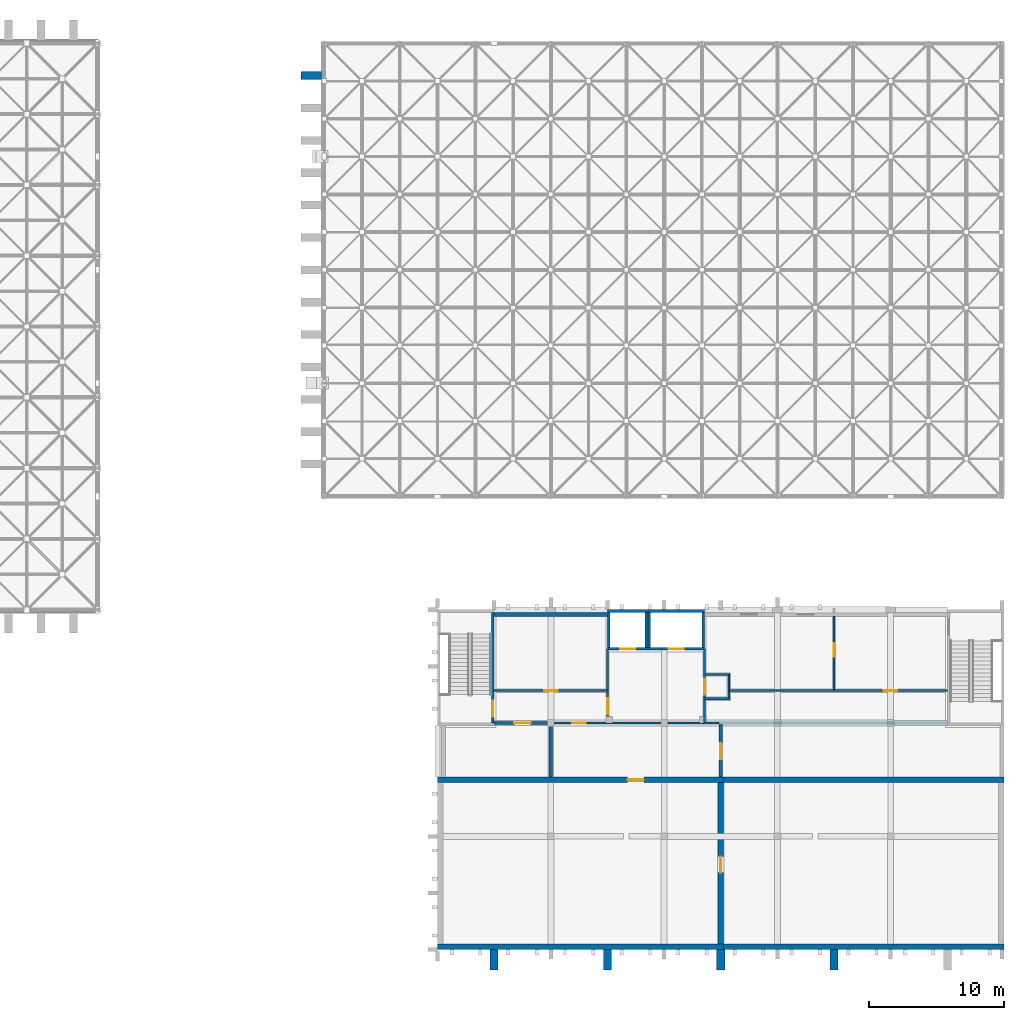
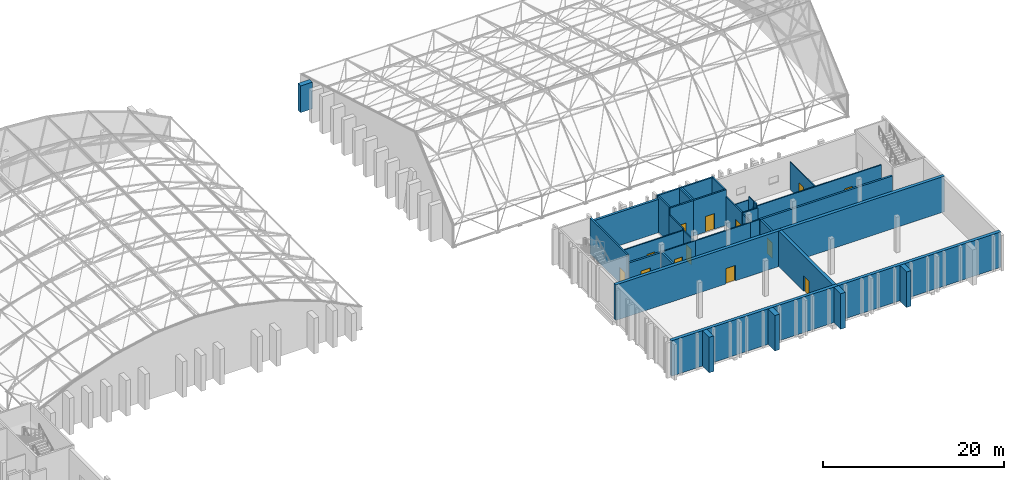
# One storey, part 71 of 100: 38 walls, 13 doors, 13 openings.
"""IFC4 building model written with IfcOpenShell, lengths in metres."""

from ifc_helpers import new_model, si_unit, direction, frame, frame_2d, origin, place, context, subcontext, project, spatial, rectangle, extrude, material, layer, layer_set, type_object, element, fill, save


model = new_model("IFC4")

# Units and contexts
model_context = context("Model", 3, precision=1e-05, world=origin(), true_north=direction((0.0, 1.0)))
body_context = subcontext(model_context, "Body", "Model", "MODEL_VIEW")
ifc_project = project(units=[si_unit("LENGTHUNIT", "METRE"), si_unit("AREAUNIT", "SQUARE_METRE"), si_unit("VOLUMEUNIT", "CUBIC_METRE"), si_unit("PLANEANGLEUNIT", "RADIAN"), si_unit("MASSUNIT", "GRAM", prefix="KILO")], contexts=[model_context])

# Site, building, storey
site_placement = place(None, origin())
site = spatial("IfcSite", under=ifc_project, at=site_placement, CompositionType="ELEMENT")
building_placement = place(site_placement, origin())
building = spatial("IfcBuilding", under=site, at=building_placement, Name="Kiln Court Media Centre", CompositionType="ELEMENT")
storey_placement = place(building_placement, frame((0.0, 0.0, 15.0)))
storey = spatial("IfcBuildingStorey", under=building, at=storey_placement, Name="L03", CompositionType="ELEMENT", Elevation=15.0)

# Wall
ifc_material_1 = material(Name="Concrete block masonry M7.5", Category="masonry")
ifc_layer_1 = layer(ifc_material_1, 0.14990234375)
ifc_layer_set_1 = layer_set([ifc_layer_1], Name="Block lobby wall 150 EI 120")
wall_type_1 = type_object("IfcWallType", Name="Block lobby wall 150 EI 120", PredefinedType="SOLIDWALL", material=ifc_layer_set_1)
wall_1_placement = place(storey_placement, frame((138.675048828125, 16.800048828125, 0.0), z_axis=(0.0, 0.0, 1.0), x_axis=(1.0, 0.0, 0.0)))
element("IfcWall", 1, at=wall_1_placement, inside=storey, type_object=wall_type_1, Name="L03 block lobby wall", PredefinedType="SOLIDWALL", context=body_context, shape_type="SweptSolid", body=[
    extrude(rectangle(XDim=7.050048828125, YDim=0.14990234375, at=frame_2d((3.52490234375, 0.0))), origin(), (0.0, 0.0, 1.0), 3.699951171875),
])

# Wall, opening, door
wall_2_placement = place(storey_placement, frame((138.60009765625, 16.875, 0.0), z_axis=(0.0, 0.0, 1.0), x_axis=(0.0, 1.0, 0.0)))
wall_2 = element("IfcWall", 2, at=wall_2_placement, inside=storey, type_object=wall_type_1, Name="L03 block lobby wall", PredefinedType="SOLIDWALL", context=body_context, shape_type="SweptSolid", body=[
    extrude(rectangle(XDim=2.25, YDim=0.14990234375, at=frame_2d((1.125, 0.0))), origin(), (0.0, 0.0, 1.0), 3.699951171875),
])
opening_1_placement = place(wall_2_placement, frame((0.574951171875, 0.0, 0.0)))
opening_1 = element("IfcOpeningElement", 3, at=opening_1_placement, cuts=wall_2, Name="Opening D3019", PredefinedType="OPENING", context=body_context, shape_type="SweptSolid", body=[
    extrude(rectangle(XDim=1.199951171875, YDim=2.10009765625, at=frame_2d((0.60009765625, 1.050048828125))), frame((0.0, 0.0849609375, 0.0), z_axis=(0.0, -1.0, 0.0), x_axis=(1.0, 0.0, 0.0)), (0.0, 0.0, 1.0), 0.169921875),
])
ifc_material_2 = material(Name="Steel S275", Category="steel")
door_type_1 = type_object("IfcDoorType", Name="Steel lobby door 1200 x 2100 FD120", OperationType="SINGLE_SWING_LEFT", PredefinedType="DOOR", material=ifc_material_2)
door_1_placement = place(opening_1_placement, origin())
door_1 = element("IfcDoor", 4, at=door_1_placement, inside=storey, type_object=door_type_1, Name="Studio Corridor / Fire-fighting Lift Lobby", OperationType="SINGLE_SWING_RIGHT", OverallHeight=2.10009765625, OverallWidth=1.199951171875, PredefinedType="DOOR", context=body_context, shape_type="SweptSolid", body=[
    extrude(rectangle(XDim=1.199951171875, YDim=2.10009765625, at=frame_2d((0.60009765625, 1.050048828125))), frame((0.0, 0.02490234375, 0.0), z_axis=(0.0, -1.0, 0.0), x_axis=(1.0, 0.0, 0.0)), (0.0, 0.0, 1.0), 0.050048828125),
])
fill(opening_1, door_1)

# Walls
wall_3_placement = place(storey_placement, frame((138.60009765625, 19.27490234375, 0.0), z_axis=(0.0, 0.0, 1.0), x_axis=(0.0, 1.0, 0.0)))
element("IfcWall", 5, at=wall_3_placement, inside=storey, type_object=wall_type_1, Name="L03 block lobby wall", PredefinedType="SOLIDWALL", context=body_context, shape_type="SweptSolid", body=[
    extrude(rectangle(XDim=3.0, YDim=0.14990234375, at=frame_2d((1.5, 0.0))), origin(), (0.0, 0.0, 1.0), 3.89990234375),
])
wall_4_placement = place(storey_placement, frame((145.800048828125, 16.875, 0.0), z_axis=(0.0, 0.0, 1.0), x_axis=(0.0, 1.0, 0.0)))
element("IfcWall", 6, at=wall_4_placement, inside=storey, type_object=wall_type_1, Name="L03 block lobby wall", PredefinedType="SOLIDWALL", context=body_context, shape_type="SweptSolid", body=[
    extrude(rectangle(XDim=1.64990234375, YDim=0.14990234375, at=frame_2d((0.824951171875, 0.0))), origin(), (0.0, 0.0, 1.0), 3.699951171875),
])

# Wall, opening, door
wall_5_placement = place(storey_placement, frame((145.800048828125, 18.675048828125, 0.0), z_axis=(0.0, 0.0, 1.0), x_axis=(0.0, 1.0, 0.0)))
wall_5 = element("IfcWall", 7, at=wall_5_placement, inside=storey, type_object=wall_type_1, Name="L03 block lobby wall", PredefinedType="SOLIDWALL", context=body_context, shape_type="SweptSolid", body=[
    extrude(rectangle(XDim=3.599853515625, YDim=0.14990234375, at=frame_2d((1.7998046875, 0.0))), origin(), (0.0, 0.0, 1.0), 3.89990234375),
])
opening_2_placement = place(wall_5_placement, frame((0.22509765625, 0.0, 0.0)))
opening_2 = element("IfcOpeningElement", 8, at=opening_2_placement, cuts=wall_5, Name="Opening D3040", PredefinedType="OPENING", context=body_context, shape_type="SweptSolid", body=[
    extrude(rectangle(XDim=1.199951171875, YDim=2.10009765625, at=frame_2d((0.60009765625, 1.050048828125))), frame((0.0, 0.0849609375, 0.0), z_axis=(0.0, -1.0, 0.0), x_axis=(1.0, 0.0, 0.0)), (0.0, 0.0, 1.0), 0.169921875),
])
door_2_placement = place(opening_2_placement, origin())
door_2 = element("IfcDoor", 9, at=door_2_placement, inside=storey, type_object=door_type_1, Name="Fire-fighting Lift Lobby / Wheelchair Refuge", OperationType="SINGLE_SWING_RIGHT", OverallHeight=2.10009765625, OverallWidth=1.199951171875, PredefinedType="DOOR", context=body_context, shape_type="SweptSolid", body=[
    extrude(rectangle(XDim=1.199951171875, YDim=2.10009765625, at=frame_2d((0.60009765625, 1.050048828125))), frame((0.0, 0.02490234375, 0.0), z_axis=(0.0, -1.0, 0.0), x_axis=(1.0, 0.0, 0.0)), (0.0, 0.0, 1.0), 0.050048828125),
])
fill(opening_2, door_2)

# Walls
ifc_material_3 = material(Name="Concrete C40/50", Category="concrete")
ifc_layer_2 = layer(ifc_material_3, 0.300048828125)
ifc_layer_set_2 = layer_set([ifc_layer_2], Name="Concrete C40/50 board-marked facade wall 300")
wall_type_2 = type_object("IfcWallType", Name="Concrete C40/50 board-marked facade wall 300", PredefinedType="SOLIDWALL", material=ifc_layer_set_2)
wall_6_placement = place(storey_placement, frame((130.199951171875, 24.85009765625, 0.0), z_axis=(0.0, 0.0, 1.0), x_axis=(1.0, 0.0, 0.0)))
element("IfcWall", 10, at=wall_6_placement, inside=storey, type_object=wall_type_2, Name="V5 N facade wall 4008", PredefinedType="SOLIDWALL", context=body_context, shape_type="SweptSolid", body=[
    extrude(rectangle(XDim=8.400146484375, YDim=0.300048828125, at=frame_2d((4.2001953125, 0.0))), origin(), (0.0, 0.0, 1.0), 4.5),
])
ifc_material_4 = material(Name="Concrete C40/50", Category="concrete")
ifc_layer_3 = layer(ifc_material_4, 0.60009765625)
ifc_layer_set_3 = layer_set([ifc_layer_3], Name="Concrete C40/50 cast rib 600x1500")
wall_type_3 = type_object("IfcWallType", Name="Concrete C40/50 cast rib 600x1500", PredefinedType="SOLIDWALL", material=ifc_layer_set_3)
wall_7_placement = place(storey_placement, frame((117.386474609375, 64.800048828125, 0.0), z_axis=(0.0, 0.0, 1.0), x_axis=(-1.0, 0.0, 0.0)))
element("IfcWall", 11, at=wall_7_placement, inside=storey, type_object=wall_type_3, Name="V2 W gable rib", PredefinedType="SOLIDWALL", context=body_context, shape_type="SweptSolid", body=[
    extrude(rectangle(XDim=1.5, YDim=0.60009765625, at=frame_2d((0.75, 0.0))), origin(), (0.0, 0.0, 1.0), 3.60498046875),
])
for number, where, z_axis, x_axis, name in (
    (12, (130.199951171875, 0.0, 0.0), (0.0, 0.0, 1.0), (0.0, -1.0, 0.0), "V5 S cast rib 1"),
    (13, (138.60009765625, 0.0, 0.0), (0.0, 0.0, 1.0), (0.0, -1.0, 0.0), "V5 S cast rib 2"),
    (14, (147.0, 0.0, 0.0), (0.0, 0.0, 1.0), (0.0, -1.0, 0.0), "V5 S cast rib 3"),
    (15, (155.39990234375, 0.0, 0.0), (0.0, 0.0, 1.0), (0.0, -1.0, 0.0), "V5 S cast rib 4"),
):
    element("IfcWall", number, at=place(storey_placement, frame(where, z_axis=z_axis, x_axis=x_axis)), inside=storey, type_object=wall_type_3, Name=name, PredefinedType="SOLIDWALL", context=body_context, shape_type="SweptSolid", body=[
        extrude(rectangle(XDim=1.5, YDim=0.60009765625, at=frame_2d((0.75, 0.0))), origin(), (0.0, 0.0, 1.0), 4.800048828125),
    ])

# Wall, opening, door
ifc_material_5 = material(Name="Concrete C40/50", Category="concrete")
ifc_layer_4 = layer(ifc_material_5, 0.199951171875)
ifc_layer_set_4 = layer_set([ifc_layer_4], Name="Concrete C40/50 shear wall 200")
wall_type_4 = type_object("IfcWallType", Name="Concrete C40/50 shear wall 200", PredefinedType="SHEAR", material=ifc_layer_set_4)
wall_8_placement = place(storey_placement, frame((130.10009765625, 25.0, 0.0), z_axis=(0.0, 0.0, 1.0), x_axis=(0.0, -1.0, 0.0)))
wall_8 = element("IfcWall", 16, at=wall_8_placement, inside=storey, type_object=wall_type_4, Name="L03-W-1035", PredefinedType="SHEAR", context=body_context, shape_type="SweptSolid", body=[
    extrude(rectangle(XDim=8.199951171875, YDim=0.199951171875, at=frame_2d((4.10009765625, 0.0))), origin(), (0.0, 0.0, 1.0), 4.800048828125),
])
opening_3_placement = place(wall_8_placement, frame((6.550048828125, 0.0, 0.0)))
opening_3 = element("IfcOpeningElement", 17, at=opening_3_placement, cuts=wall_8, Name="Opening D3004", PredefinedType="OPENING", context=body_context, shape_type="SweptSolid", body=[
    extrude(rectangle(XDim=1.199951171875, YDim=2.10009765625, at=frame_2d((0.60009765625, 1.050048828125))), frame((0.0, 0.10986328125, 0.0), z_axis=(0.0, -1.0, 0.0), x_axis=(1.0, 0.0, 0.0)), (0.0, 0.0, 1.0), 0.219970703125),
])
ifc_material_6 = material(Name="Steel S275", Category="steel")
door_type_2 = type_object("IfcDoorType", Name="Steel stair door 1200 x 2100 FD180", OperationType="SINGLE_SWING_LEFT", PredefinedType="DOOR", material=ifc_material_6)
door_3_placement = place(opening_3_placement, origin())
door_3 = element("IfcDoor", 18, at=door_3_placement, inside=storey, type_object=door_type_2, Name="Stair 16 / Studio Corridor", OperationType="SINGLE_SWING_LEFT", OverallHeight=2.10009765625, OverallWidth=1.199951171875, PredefinedType="DOOR", context=body_context, shape_type="SweptSolid", body=[
    extrude(rectangle(XDim=1.199951171875, YDim=2.10009765625, at=frame_2d((0.60009765625, 1.050048828125))), frame((0.0, 0.02490234375, 0.0), z_axis=(0.0, -1.0, 0.0), x_axis=(1.0, 0.0, 0.0)), (0.0, 0.0, 1.0), 0.050048828125),
])
fill(opening_3, door_3)

wall_9_placement = place(storey_placement, frame((141.60009765625, 22.300048828125, 0.0), z_axis=(0.0, 0.0, 1.0), x_axis=(-1.0, 0.0, 0.0)))
wall_9 = element("IfcWall", 19, at=wall_9_placement, inside=storey, type_object=wall_type_4, Name="L03-W-1062", PredefinedType="SHEAR", context=body_context, shape_type="SweptSolid", body=[
    extrude(rectangle(XDim=3.0, YDim=0.199951171875, at=frame_2d((1.5, 0.0))), origin(), (0.0, 0.0, 1.0), 4.800048828125),
])
opening_4_placement = place(wall_9_placement, frame((0.9501953125, 0.0, 0.0)))
opening_4 = element("IfcOpeningElement", 20, at=opening_4_placement, cuts=wall_9, Name="Opening LD309", PredefinedType="OPENING", context=body_context, shape_type="SweptSolid", body=[
    extrude(rectangle(XDim=1.10009765625, YDim=2.10009765625, at=frame_2d((0.550048828125, 1.050048828125))), frame((0.0, 0.10986328125, 0.0), z_axis=(0.0, -1.0, 0.0), x_axis=(1.0, 0.0, 0.0)), (0.0, 0.0, 1.0), 0.219970703125),
])
ifc_material_7 = material(Name="Stainless steel", Category="steel")
door_type_3 = type_object("IfcDoorType", Name="Firefighting lift landing door 1100 x 2100 FD120", OperationType="SLIDING_TO_LEFT", PredefinedType="DOOR", material=ifc_material_7)
door_4_placement = place(opening_4_placement, origin())
door_4 = element("IfcDoor", 21, at=door_4_placement, inside=storey, type_object=door_type_3, Name="LF-11 landing door L03", OperationType="SLIDING_TO_LEFT", OverallHeight=2.10009765625, OverallWidth=1.10009765625, PredefinedType="DOOR", context=body_context, shape_type="SweptSolid", body=[
    extrude(rectangle(XDim=1.10009765625, YDim=2.10009765625, at=frame_2d((0.550048828125, 1.050048828125))), frame((0.0, 0.02490234375, 0.0), z_axis=(0.0, -1.0, 0.0), x_axis=(1.0, 0.0, 0.0)), (0.0, 0.0, 1.0), 0.050048828125),
])
fill(opening_4, door_4)

# Walls
wall_10_placement = place(storey_placement, frame((138.60009765625, 25.10009765625, 0.0), z_axis=(0.0, 0.0, 1.0), x_axis=(1.0, 0.0, 0.0)))
element("IfcWall", 22, at=wall_10_placement, inside=storey, type_object=wall_type_4, Name="L03-W-1063", PredefinedType="SHEAR", context=body_context, shape_type="SweptSolid", body=[
    extrude(rectangle(XDim=3.0, YDim=0.199951171875, at=frame_2d((1.5, 0.0))), origin(), (0.0, 0.0, 1.0), 4.800048828125),
])
for number, where, z_axis, x_axis, name in (
    (23, (138.699951171875, 22.39990234375, 0.0), (0.0, 0.0, 1.0), (0.0, 1.0, 0.0), "L03-W-1064"),
    (24, (141.5, 25.0, 0.0), (0.0, 0.0, 1.0), (0.0, -1.0, 0.0), "L03-W-1065"),
):
    element("IfcWall", number, at=place(storey_placement, frame(where, z_axis=z_axis, x_axis=x_axis)), inside=storey, type_object=wall_type_4, Name=name, PredefinedType="SHEAR", context=body_context, shape_type="SweptSolid", body=[
        extrude(rectangle(XDim=2.60009765625, YDim=0.199951171875, at=frame_2d((1.300048828125, 0.0))), origin(), (0.0, 0.0, 1.0), 4.800048828125),
    ])

# Wall, opening, door
wall_11_placement = place(storey_placement, frame((145.800048828125, 22.300048828125, 0.0), z_axis=(0.0, 0.0, 1.0), x_axis=(-1.0, 0.0, 0.0)))
wall_11 = element("IfcWall", 25, at=wall_11_placement, inside=storey, type_object=wall_type_4, Name="L03-W-1066", PredefinedType="SHEAR", context=body_context, shape_type="SweptSolid", body=[
    extrude(rectangle(XDim=4.199951171875, YDim=0.199951171875, at=frame_2d((2.10009765625, 0.0))), origin(), (0.0, 0.0, 1.0), 4.800048828125),
])
opening_5_placement = place(wall_11_placement, frame((1.550048828125, 0.0, 0.0)))
opening_5 = element("IfcOpeningElement", 26, at=opening_5_placement, cuts=wall_11, Name="Opening LD310", PredefinedType="OPENING", context=body_context, shape_type="SweptSolid", body=[
    extrude(rectangle(XDim=1.10009765625, YDim=2.10009765625, at=frame_2d((0.550048828125, 1.050048828125))), frame((0.0, 0.10986328125, 0.0), z_axis=(0.0, -1.0, 0.0), x_axis=(1.0, 0.0, 0.0)), (0.0, 0.0, 1.0), 0.219970703125),
])
ifc_material_8 = material(Name="Stainless steel", Category="steel")
door_type_4 = type_object("IfcDoorType", Name="Lift landing door 1100 x 2100 FD120", OperationType="SLIDING_TO_LEFT", PredefinedType="DOOR", material=ifc_material_8)
door_5_placement = place(opening_5_placement, origin())
door_5 = element("IfcDoor", 27, at=door_5_placement, inside=storey, type_object=door_type_4, Name="LF-12 landing door L03", OperationType="SLIDING_TO_LEFT", OverallHeight=2.10009765625, OverallWidth=1.10009765625, PredefinedType="DOOR", context=body_context, shape_type="SweptSolid", body=[
    extrude(rectangle(XDim=1.10009765625, YDim=2.10009765625, at=frame_2d((0.550048828125, 1.050048828125))), frame((0.0, 0.02490234375, 0.0), z_axis=(0.0, -1.0, 0.0), x_axis=(1.0, 0.0, 0.0)), (0.0, 0.0, 1.0), 0.050048828125),
])
fill(opening_5, door_5)

# Walls
wall_12_placement = place(storey_placement, frame((141.60009765625, 25.10009765625, 0.0), z_axis=(0.0, 0.0, 1.0), x_axis=(1.0, 0.0, 0.0)))
element("IfcWall", 28, at=wall_12_placement, inside=storey, type_object=wall_type_4, Name="L03-W-1067", PredefinedType="SHEAR", context=body_context, shape_type="SweptSolid", body=[
    extrude(rectangle(XDim=4.199951171875, YDim=0.199951171875, at=frame_2d((2.10009765625, 0.0))), origin(), (0.0, 0.0, 1.0), 4.800048828125),
])
for number, where, z_axis, x_axis, name in (
    (29, (141.699951171875, 22.39990234375, 0.0), (0.0, 0.0, 1.0), (0.0, 1.0, 0.0), "L03-W-1068"),
    (30, (145.699951171875, 25.0, 0.0), (0.0, 0.0, 1.0), (0.0, -1.0, 0.0), "L03-W-1069"),
):
    element("IfcWall", number, at=place(storey_placement, frame(where, z_axis=z_axis, x_axis=x_axis)), inside=storey, type_object=wall_type_4, Name=name, PredefinedType="SHEAR", context=body_context, shape_type="SweptSolid", body=[
        extrude(rectangle(XDim=2.60009765625, YDim=0.199951171875, at=frame_2d((1.300048828125, 0.0))), origin(), (0.0, 0.0, 1.0), 4.800048828125),
    ])
ifc_material_9 = material(Name="Concrete C40/50", Category="concrete")
ifc_layer_5 = layer(ifc_material_9, 0.39990234375)
ifc_layer_set_5 = layer_set([ifc_layer_5], Name="Concrete C40/50 studio wall 400")
wall_type_5 = type_object("IfcWallType", Name="Concrete C40/50 studio wall 400", PredefinedType="SHEAR", material=ifc_layer_set_5)
wall_13_placement = place(storey_placement, frame((147.199951171875, 0.199951171875, 0.0), z_axis=(0.0, 0.0, 1.0), x_axis=(-1.0, 0.0, 0.0)))
element("IfcWall", 31, at=wall_13_placement, inside=storey, type_object=wall_type_5, Name="L03-W-1081", PredefinedType="SHEAR", context=body_context, shape_type="SweptSolid", body=[
    extrude(rectangle(XDim=21.199951171875, YDim=0.39990234375, at=frame_2d((10.60009765625, 0.0))), origin(), (0.0, 0.0, 1.0), 4.800048828125),
])

# Wall, opening, door
wall_14_placement = place(storey_placement, frame((126.0, 12.60009765625, 0.0), z_axis=(0.0, 0.0, 1.0), x_axis=(1.0, 0.0, 0.0)))
wall_14 = element("IfcWall", 32, at=wall_14_placement, inside=storey, type_object=wall_type_5, Name="L03-W-1082", PredefinedType="SHEAR", context=body_context, shape_type="SweptSolid", body=[
    extrude(rectangle(XDim=21.199951171875, YDim=0.39990234375, at=frame_2d((10.60009765625, 0.0))), origin(), (0.0, 0.0, 1.0), 4.800048828125),
])
opening_6_placement = place(wall_14_placement, frame((14.10009765625, 0.0, 0.0)))
opening_6 = element("IfcOpeningElement", 33, at=opening_6_placement, cuts=wall_14, Name="Opening D3038", PredefinedType="OPENING", context=body_context, shape_type="SweptSolid", body=[
    extrude(rectangle(XDim=1.199951171875, YDim=2.10009765625, at=frame_2d((0.60009765625, 1.050048828125))), frame((0.0, 0.2099609375, 0.0), z_axis=(0.0, -1.0, 0.0), x_axis=(1.0, 0.0, 0.0)), (0.0, 0.0, 1.0), 0.419921875),
])
ifc_material_10 = material(Name="Steel S275", Category="steel")
door_type_5 = type_object("IfcDoorType", Name="Acoustic studio door 1200 x 2100 FD180", OperationType="SINGLE_SWING_LEFT", PredefinedType="DOOR", material=ifc_material_10)
door_6_placement = place(opening_6_placement, origin())
door_6 = element("IfcDoor", 34, at=door_6_placement, inside=storey, type_object=door_type_5, Name="Recording Studio 3 / Sound Lobby", OperationType="SINGLE_SWING_LEFT", OverallHeight=2.10009765625, OverallWidth=1.199951171875, PredefinedType="DOOR", context=body_context, shape_type="SweptSolid", body=[
    extrude(rectangle(XDim=1.199951171875, YDim=2.10009765625, at=frame_2d((0.60009765625, 1.050048828125))), frame((0.0, 0.02490234375, 0.0), z_axis=(0.0, -1.0, 0.0), x_axis=(1.0, 0.0, 0.0)), (0.0, 0.0, 1.0), 0.050048828125),
])
fill(opening_6, door_6)

wall_15_placement = place(storey_placement, frame((147.0, 12.39990234375, 0.0), z_axis=(0.0, 0.0, 1.0), x_axis=(0.0, -1.0, 0.0)))
wall_15 = element("IfcWall", 35, at=wall_15_placement, inside=storey, type_object=wall_type_5, Name="L03-W-1084", PredefinedType="SHEAR", context=body_context, shape_type="SweptSolid", body=[
    extrude(rectangle(XDim=12.0, YDim=0.39990234375, at=frame_2d((6.0, 0.0))), origin(), (0.0, 0.0, 1.0), 4.800048828125),
])
opening_7_placement = place(wall_15_placement, frame((5.5, 0.0, 0.0)))
opening_7 = element("IfcOpeningElement", 36, at=opening_7_placement, cuts=wall_15, Name="Opening D3048", PredefinedType="OPENING", context=body_context, shape_type="SweptSolid", body=[
    extrude(rectangle(XDim=1.199951171875, YDim=2.10009765625, at=frame_2d((0.60009765625, 1.050048828125))), frame((0.0, 0.2099609375, 0.0), z_axis=(0.0, -1.0, 0.0), x_axis=(1.0, 0.0, 0.0)), (0.0, 0.0, 1.0), 0.419921875),
])
door_7_placement = place(opening_7_placement, origin())
door_7 = element("IfcDoor", 37, at=door_7_placement, inside=storey, type_object=door_type_5, Name="Recording Studio 3 / Recording Studio 4", OperationType="SINGLE_SWING_RIGHT", OverallHeight=2.10009765625, OverallWidth=1.199951171875, PredefinedType="DOOR", context=body_context, shape_type="SweptSolid", body=[
    extrude(rectangle(XDim=1.199951171875, YDim=2.10009765625, at=frame_2d((0.60009765625, 1.050048828125))), frame((0.0, 0.02490234375, 0.0), z_axis=(0.0, -1.0, 0.0), x_axis=(1.0, 0.0, 0.0)), (0.0, 0.0, 1.0), 0.050048828125),
])
fill(opening_7, door_7)

# Walls
for number, where, z_axis, x_axis, name in (
    (38, (167.99951171875, 0.199951171875, 0.0), (0.0, 0.0, 1.0), (-1.0, 0.0, 0.0), "L03-W-1085"),
    (39, (147.199951171875, 12.60009765625, 0.0), (0.0, 0.0, 1.0), (1.0, 0.0, 0.0), "L03-W-1086"),
):
    element("IfcWall", number, at=place(storey_placement, frame(where, z_axis=z_axis, x_axis=x_axis)), inside=storey, type_object=wall_type_5, Name=name, PredefinedType="SHEAR", context=body_context, shape_type="SweptSolid", body=[
        extrude(rectangle(XDim=20.799560546875, YDim=0.39990234375, at=frame_2d((10.39990234375, 0.0))), origin(), (0.0, 0.0, 1.0), 4.800048828125),
    ])

# Wall, opening, door
ifc_material_11 = material(Name="Gypsum plasterboard", Category="gypsum")
ifc_layer_6 = layer(ifc_material_11, 0.25)
ifc_layer_set_6 = layer_set([ifc_layer_6], Name="Double-leaf acoustic wall 250 EI 120")
wall_type_6 = type_object("IfcWallType", Name="Double-leaf acoustic wall 250 EI 120", PredefinedType="PARTITIONING", material=ifc_layer_set_6)
wall_16_placement = place(storey_placement, frame((130.199951171875, 16.800048828125, 0.0), z_axis=(0.0, 0.0, 1.0), x_axis=(1.0, 0.0, 0.0)))
wall_16 = element("IfcWall", 40, at=wall_16_placement, inside=storey, type_object=wall_type_6, Name="L03 double-leaf acoustic wall", PredefinedType="PARTITIONING", context=body_context, shape_type="SweptSolid", body=[
    extrude(rectangle(XDim=4.324951171875, YDim=0.25, at=frame_2d((2.16259765625, 0.0))), origin(), (0.0, 0.0, 1.0), 3.699951171875),
])
opening_8_placement = place(wall_16_placement, frame((1.5, 0.0, 0.0)))
opening_8 = element("IfcOpeningElement", 41, at=opening_8_placement, cuts=wall_16, Name="Opening D3017", PredefinedType="OPENING", context=body_context, shape_type="SweptSolid", body=[
    extrude(rectangle(XDim=1.199951171875, YDim=2.10009765625, at=frame_2d((0.60009765625, 1.050048828125))), frame((0.0, 0.135009765625, 0.0), z_axis=(0.0, -1.0, 0.0), x_axis=(1.0, 0.0, 0.0)), (0.0, 0.0, 1.0), 0.27001953125),
])
door_8_placement = place(opening_8_placement, origin())
door_8 = element("IfcDoor", 42, at=door_8_placement, inside=storey, type_object=door_type_5, Name="Control Room 3 / Studio Corridor", OperationType="SINGLE_SWING_RIGHT", OverallHeight=2.10009765625, OverallWidth=1.199951171875, PredefinedType="DOOR", context=body_context, shape_type="SweptSolid", body=[
    extrude(rectangle(XDim=1.199951171875, YDim=2.10009765625, at=frame_2d((0.60009765625, 1.050048828125))), frame((0.0, 0.02490234375, 0.0), z_axis=(0.0, -1.0, 0.0), x_axis=(1.0, 0.0, 0.0)), (0.0, 0.0, 1.0), 0.050048828125),
])
fill(opening_8, door_8)

# Walls
wall_17_placement = place(storey_placement, frame((146.875, 16.800048828125, 0.0), z_axis=(0.0, 0.0, 1.0), x_axis=(1.0, 0.0, 0.0)))
element("IfcWall", 43, at=wall_17_placement, inside=storey, type_object=wall_type_6, Name="L03 double-leaf acoustic wall", PredefinedType="PARTITIONING", context=body_context, shape_type="SweptSolid", body=[
    extrude(rectangle(XDim=16.925048828125, YDim=0.25, at=frame_2d((8.46240234375, 0.0))), origin(), (0.0, 0.0, 1.0), 3.699951171875),
])
wall_18_placement = place(storey_placement, frame((134.39990234375, 12.800048828125, 0.0), z_axis=(0.0, 0.0, 1.0), x_axis=(0.0, 1.0, 0.0)))
element("IfcWall", 44, at=wall_18_placement, inside=storey, type_object=wall_type_6, Name="L03 double-leaf acoustic wall", PredefinedType="PARTITIONING", context=body_context, shape_type="SweptSolid", body=[
    extrude(rectangle(XDim=3.875, YDim=0.25, at=frame_2d((1.9375, 0.0))), origin(), (0.0, 0.0, 1.0), 3.699951171875),
])

# Wall, opening, door
wall_19_placement = place(storey_placement, frame((147.0, 12.800048828125, 0.0), z_axis=(0.0, 0.0, 1.0), x_axis=(0.0, 1.0, 0.0)))
wall_19 = element("IfcWall", 45, at=wall_19_placement, inside=storey, type_object=wall_type_6, Name="L03 double-leaf acoustic wall", PredefinedType="PARTITIONING", context=body_context, shape_type="SweptSolid", body=[
    extrude(rectangle(XDim=3.875, YDim=0.25, at=frame_2d((1.9375, 0.0))), origin(), (0.0, 0.0, 1.0), 3.699951171875),
])
opening_9_placement = place(wall_19_placement, frame((1.2998046875, 0.0, 0.0)))
opening_9 = element("IfcOpeningElement", 46, at=opening_9_placement, cuts=wall_19, Name="Opening D3039", PredefinedType="OPENING", context=body_context, shape_type="SweptSolid", body=[
    extrude(rectangle(XDim=1.199951171875, YDim=2.10009765625, at=frame_2d((0.60009765625, 1.050048828125))), frame((0.0, 0.135009765625, 0.0), z_axis=(0.0, -1.0, 0.0), x_axis=(1.0, 0.0, 0.0)), (0.0, 0.0, 1.0), 0.27001953125),
])
door_9_placement = place(opening_9_placement, origin())
door_9 = element("IfcDoor", 47, at=door_9_placement, inside=storey, type_object=door_type_5, Name="Sound Lobby / Control Room 4", OperationType="SINGLE_SWING_LEFT", OverallHeight=2.10009765625, OverallWidth=1.199951171875, PredefinedType="DOOR", context=body_context, shape_type="SweptSolid", body=[
    extrude(rectangle(XDim=1.199951171875, YDim=2.10009765625, at=frame_2d((0.60009765625, 1.050048828125))), frame((0.0, 0.02490234375, 0.0), z_axis=(0.0, -1.0, 0.0), x_axis=(1.0, 0.0, 0.0)), (0.0, 0.0, 1.0), 0.050048828125),
])
fill(opening_9, door_9)

ifc_material_12 = material(Name="Gypsum plasterboard", Category="gypsum")
ifc_layer_7 = layer(ifc_material_12, 0.14990234375)
ifc_layer_set_7 = layer_set([ifc_layer_7], Name="Gypsum corridor partition 150 EI 60")
wall_type_7 = type_object("IfcWallType", Name="Gypsum corridor partition 150 EI 60", PredefinedType="PARTITIONING", material=ifc_layer_set_7)
wall_20_placement = place(storey_placement, frame((134.52490234375, 16.800048828125, 0.0), z_axis=(0.0, 0.0, 1.0), x_axis=(1.0, 0.0, 0.0)))
wall_20 = element("IfcWall", 48, at=wall_20_placement, inside=storey, type_object=wall_type_7, Name="L03 gypsum corridor partition", PredefinedType="PARTITIONING", context=body_context, shape_type="SweptSolid", body=[
    extrude(rectangle(XDim=4.150146484375, YDim=0.14990234375, at=frame_2d((2.0751953125, 0.0))), origin(), (0.0, 0.0, 1.0), 3.699951171875),
])
opening_10_placement = place(wall_20_placement, frame((1.47509765625, 0.0, 0.0)))
opening_10 = element("IfcOpeningElement", 49, at=opening_10_placement, cuts=wall_20, Name="Opening D3018", PredefinedType="OPENING", context=body_context, shape_type="SweptSolid", body=[
    extrude(rectangle(XDim=1.0, YDim=2.10009765625, at=frame_2d((0.5, 1.050048828125))), frame((0.0, 0.0849609375, 0.0), z_axis=(0.0, -1.0, 0.0), x_axis=(1.0, 0.0, 0.0)), (0.0, 0.0, 1.0), 0.169921875),
])
ifc_material_13 = material(Name="Steel S275", Category="steel")
door_type_6 = type_object("IfcDoorType", Name="Steel corridor door 1000 x 2100 FD30S", OperationType="SINGLE_SWING_LEFT", PredefinedType="DOOR", material=ifc_material_13)
door_10_placement = place(opening_10_placement, origin())
door_10 = element("IfcDoor", 50, at=door_10_placement, inside=storey, type_object=door_type_6, Name="Sound Lobby / Studio Corridor", OperationType="SINGLE_SWING_RIGHT", OverallHeight=2.10009765625, OverallWidth=1.0, PredefinedType="DOOR", context=body_context, shape_type="SweptSolid", body=[
    extrude(rectangle(XDim=1.0, YDim=2.10009765625, at=frame_2d((0.5, 1.050048828125))), frame((0.0, 0.02490234375, 0.0), z_axis=(0.0, -1.0, 0.0), x_axis=(1.0, 0.0, 0.0)), (0.0, 0.0, 1.0), 0.050048828125),
])
fill(opening_10, door_10)

# Walls
wall_21_placement = place(storey_placement, frame((145.72509765625, 16.800048828125, 0.0), z_axis=(0.0, 0.0, 1.0), x_axis=(1.0, 0.0, 0.0)))
element("IfcWall", 51, at=wall_21_placement, inside=storey, type_object=wall_type_7, Name="L03 gypsum corridor partition", PredefinedType="PARTITIONING", context=body_context, shape_type="SweptSolid", body=[
    extrude(rectangle(XDim=1.14990234375, YDim=0.14990234375, at=frame_2d((0.574951171875, 0.0))), origin(), (0.0, 0.0, 1.0), 3.699951171875),
])
wall_22_placement = place(storey_placement, frame((145.72509765625, 18.60009765625, 0.0), z_axis=(0.0, 0.0, 1.0), x_axis=(1.0, 0.0, 0.0)))
element("IfcWall", 52, at=wall_22_placement, inside=storey, type_object=wall_type_7, Name="L03 gypsum corridor partition", PredefinedType="PARTITIONING", context=body_context, shape_type="SweptSolid", body=[
    extrude(rectangle(XDim=1.949951171875, YDim=0.14990234375, at=frame_2d((0.97509765625, 0.0))), origin(), (0.0, 0.0, 1.0), 3.89990234375),
])

# Wall, opening, door
wall_23_placement = place(storey_placement, frame((130.2001953125, 19.199951171875, 0.0), z_axis=(0.0, 0.0, 1.0), x_axis=(1.0, 0.0, 0.0)))
wall_23 = element("IfcWall", 53, at=wall_23_placement, inside=storey, type_object=wall_type_7, Name="L03 gypsum corridor partition", PredefinedType="PARTITIONING", context=body_context, shape_type="SweptSolid", body=[
    extrude(rectangle(XDim=8.474853515625, YDim=0.14990234375, at=frame_2d((4.2373046875, 0.0))), origin(), (0.0, 0.0, 1.0), 3.699951171875),
])
opening_11_placement = place(wall_23_placement, frame((3.699951171875, 0.0, 0.0)))
opening_11 = element("IfcOpeningElement", 54, at=opening_11_placement, cuts=wall_23, Name="Opening D3020", PredefinedType="OPENING", context=body_context, shape_type="SweptSolid", body=[
    extrude(rectangle(XDim=1.0, YDim=2.10009765625, at=frame_2d((0.5, 1.050048828125))), frame((0.0, 0.0849609375, 0.0), z_axis=(0.0, -1.0, 0.0), x_axis=(1.0, 0.0, 0.0)), (0.0, 0.0, 1.0), 0.169921875),
])
door_11_placement = place(opening_11_placement, origin())
door_11 = element("IfcDoor", 55, at=door_11_placement, inside=storey, type_object=door_type_6, Name="Studio Corridor / Audio Post Suite 2", OperationType="SINGLE_SWING_LEFT", OverallHeight=2.10009765625, OverallWidth=1.0, PredefinedType="DOOR", context=body_context, shape_type="SweptSolid", body=[
    extrude(rectangle(XDim=1.0, YDim=2.10009765625, at=frame_2d((0.5, 1.050048828125))), frame((0.0, 0.02490234375, 0.0), z_axis=(0.0, -1.0, 0.0), x_axis=(1.0, 0.0, 0.0)), (0.0, 0.0, 1.0), 0.050048828125),
])
fill(opening_11, door_11)

wall_24_placement = place(storey_placement, frame((147.52490234375, 19.199951171875, 0.0), z_axis=(0.0, 0.0, 1.0), x_axis=(1.0, 0.0, 0.0)))
wall_24 = element("IfcWall", 56, at=wall_24_placement, inside=storey, type_object=wall_type_7, Name="L03 gypsum corridor partition", PredefinedType="PARTITIONING", context=body_context, shape_type="SweptSolid", body=[
    extrude(rectangle(XDim=16.27490234375, YDim=0.14990234375, at=frame_2d((8.137451171875, 0.0))), origin(), (0.0, 0.0, 1.0), 3.699951171875),
])
opening_12_placement = place(wall_24_placement, frame((11.574951171875, 0.0, 0.0)))
opening_12 = element("IfcOpeningElement", 57, at=opening_12_placement, cuts=wall_24, Name="Opening D3021", PredefinedType="OPENING", context=body_context, shape_type="SweptSolid", body=[
    extrude(rectangle(XDim=1.0, YDim=2.10009765625, at=frame_2d((0.5, 1.050048828125))), frame((0.0, 0.0849609375, 0.0), z_axis=(0.0, -1.0, 0.0), x_axis=(1.0, 0.0, 0.0)), (0.0, 0.0, 1.0), 0.169921875),
])
door_12_placement = place(opening_12_placement, origin())
door_12 = element("IfcDoor", 58, at=door_12_placement, inside=storey, type_object=door_type_6, Name="Studio Corridor / Mastering Suite", OperationType="SINGLE_SWING_RIGHT", OverallHeight=2.10009765625, OverallWidth=1.0, PredefinedType="DOOR", context=body_context, shape_type="SweptSolid", body=[
    extrude(rectangle(XDim=1.0, YDim=2.10009765625, at=frame_2d((0.5, 1.050048828125))), frame((0.0, 0.02490234375, 0.0), z_axis=(0.0, -1.0, 0.0), x_axis=(1.0, 0.0, 0.0)), (0.0, 0.0, 1.0), 0.050048828125),
])
fill(opening_12, door_12)

# Walls
wall_25_placement = place(storey_placement, frame((147.60009765625, 18.675048828125, 0.0), z_axis=(0.0, 0.0, 1.0), x_axis=(0.0, 1.0, 0.0)))
element("IfcWall", 59, at=wall_25_placement, inside=storey, type_object=wall_type_7, Name="L03 gypsum corridor partition", PredefinedType="PARTITIONING", context=body_context, shape_type="SweptSolid", body=[
    extrude(rectangle(XDim=0.449951171875, YDim=0.14990234375, at=frame_2d((0.22509765625, 0.0))), origin(), (0.0, 0.0, 1.0), 4.39990234375),
])
ifc_material_14 = material(Name="Gypsum plasterboard", Category="gypsum")
ifc_layer_8 = layer(ifc_material_14, 0.125)
ifc_layer_set_8 = layer_set([ifc_layer_8], Name="Gypsum wet-area partition 125")
wall_type_8 = type_object("IfcWallType", Name="Gypsum wet-area partition 125", PredefinedType="PARTITIONING", material=ifc_layer_set_8)
wall_26_placement = place(storey_placement, frame((145.875, 20.39990234375, 0.0), z_axis=(0.0, 0.0, 1.0), x_axis=(1.0, 0.0, 0.0)))
element("IfcWall", 60, at=wall_26_placement, inside=storey, type_object=wall_type_8, Name="L03 gypsum wet-area partition", PredefinedType="PARTITIONING", context=body_context, shape_type="SweptSolid", body=[
    extrude(rectangle(XDim=1.78759765625, YDim=0.125, at=frame_2d((0.893798828125, 0.0))), origin(), (0.0, 0.0, 1.0), 3.89990234375),
])
wall_27_placement = place(storey_placement, frame((147.60009765625, 19.27490234375, 0.0), z_axis=(0.0, 0.0, 1.0), x_axis=(0.0, 1.0, 0.0)))
element("IfcWall", 61, at=wall_27_placement, inside=storey, type_object=wall_type_8, Name="L03 gypsum wet-area partition", PredefinedType="PARTITIONING", context=body_context, shape_type="SweptSolid", body=[
    extrude(rectangle(XDim=1.0625, YDim=0.125, at=frame_2d((0.53125, 0.0))), origin(), (0.0, 0.0, 1.0), 4.39990234375),
])

# Wall, opening, door
wall_28_placement = place(storey_placement, frame((155.39990234375, 19.27490234375, 0.0), z_axis=(0.0, 0.0, 1.0), x_axis=(0.0, 1.0, 0.0)))
wall_28 = element("IfcWall", 62, at=wall_28_placement, inside=storey, type_object=wall_type_8, Name="L03 gypsum wet-area partition", PredefinedType="PARTITIONING", context=body_context, shape_type="SweptSolid", body=[
    extrude(rectangle(XDim=5.425048828125, YDim=0.125, at=frame_2d((2.71240234375, 0.0))), origin(), (0.0, 0.0, 1.0), 3.699951171875),
])
opening_13_placement = place(wall_28_placement, frame((2.425048828125, 0.0, 0.0)))
opening_13 = element("IfcOpeningElement", 63, at=opening_13_placement, cuts=wall_28, Name="Opening D3022", PredefinedType="OPENING", context=body_context, shape_type="SweptSolid", body=[
    extrude(rectangle(XDim=1.0, YDim=2.10009765625, at=frame_2d((0.5, 1.050048828125))), frame((0.0, 0.072509765625, 0.0), z_axis=(0.0, -1.0, 0.0), x_axis=(1.0, 0.0, 0.0)), (0.0, 0.0, 1.0), 0.14501953125),
])
ifc_material_15 = material(Name="Timber", Category="wood")
door_type_7 = type_object("IfcDoorType", Name="Timber door 1000 x 2100", OperationType="SINGLE_SWING_LEFT", PredefinedType="DOOR", material=ifc_material_15)
door_13_placement = place(opening_13_placement, origin())
door_13 = element("IfcDoor", 64, at=door_13_placement, inside=storey, type_object=door_type_7, Name="Toilets / Mastering Suite", OperationType="SINGLE_SWING_RIGHT", OverallHeight=2.10009765625, OverallWidth=1.0, PredefinedType="DOOR", context=body_context, shape_type="SweptSolid", body=[
    extrude(rectangle(XDim=1.0, YDim=2.10009765625, at=frame_2d((0.5, 1.050048828125))), frame((0.0, 0.02490234375, 0.0), z_axis=(0.0, -1.0, 0.0), x_axis=(1.0, 0.0, 0.0)), (0.0, 0.0, 1.0), 0.050048828125),
])
fill(opening_13, door_13)

save(model, "model.ifc")
